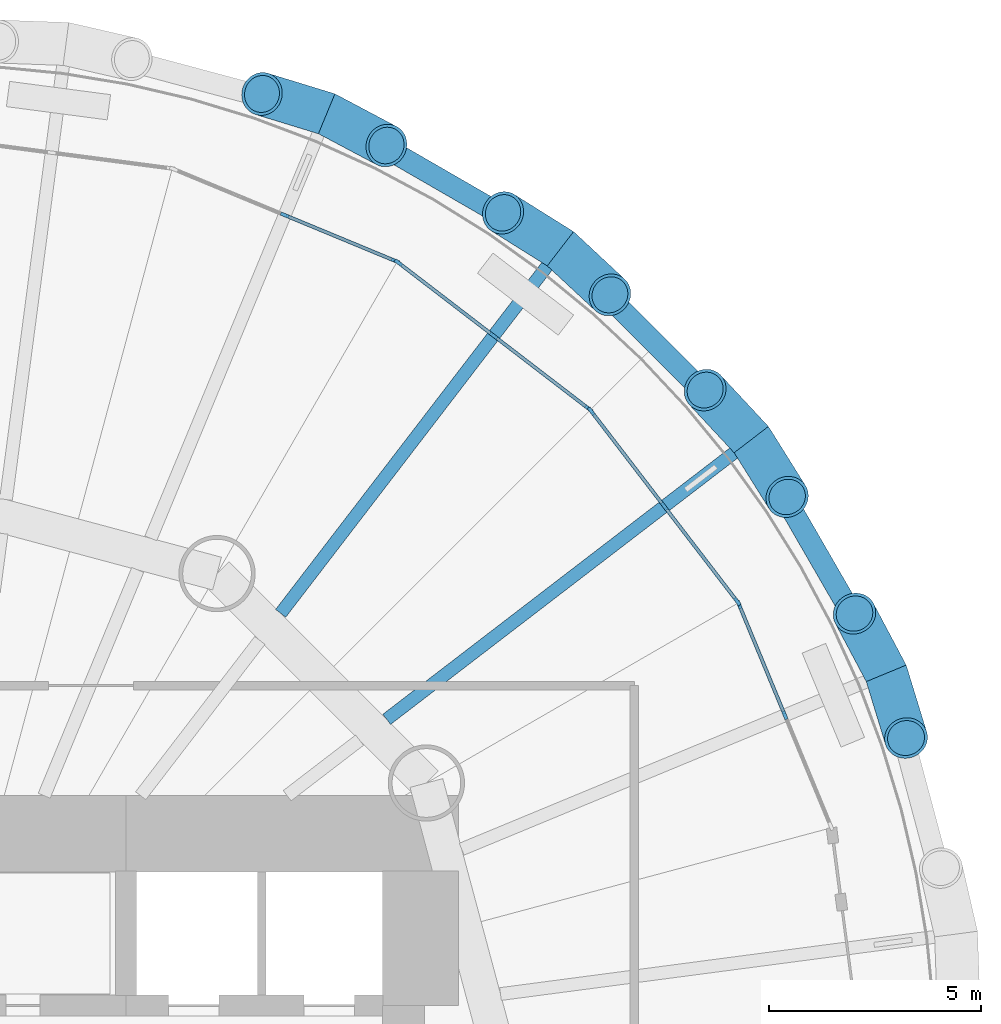
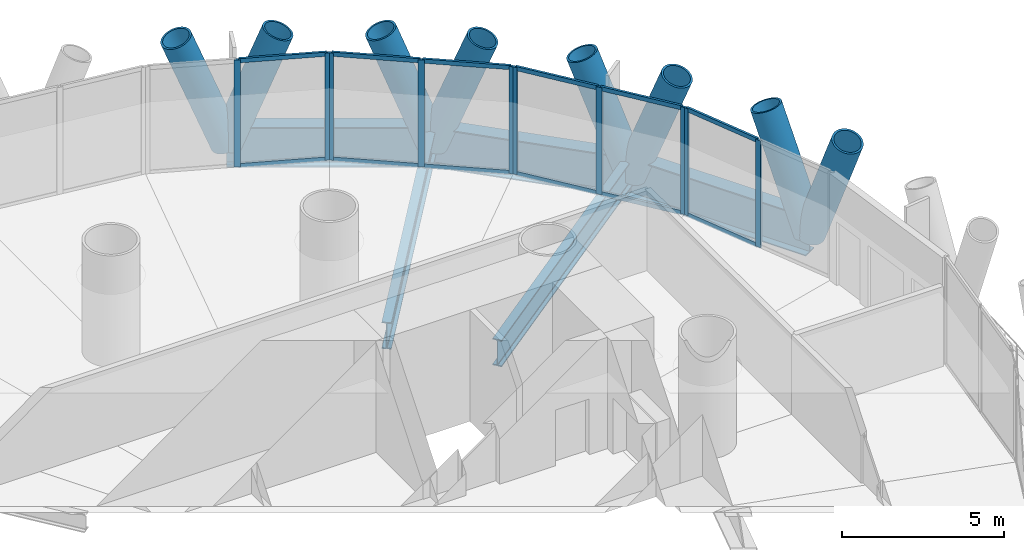
# One storey, part 6 of 14: 30 members, 5 beams, 4 elements without a shape of their own.
"""IFC4 building model written with IfcOpenShell, lengths in metres."""

from ifc_helpers import new_model, si_unit, direction, frame, origin, origin_2d, place, context, subcontext, project, spatial, rectangle, hollow_circle, i_section, extrude, material, material_profile, profile_set, type_object, element, aggregate, save


model = new_model("IFC4")

# Units and contexts
model_context = context("Model", 3, precision=1e-05, world=origin(), true_north=direction((0.0, 1.0)))
body_context = subcontext(model_context, "Body", "Model", "MODEL_VIEW")
ifc_project = project(units=[si_unit("LENGTHUNIT", "METRE"), si_unit("AREAUNIT", "SQUARE_METRE"), si_unit("VOLUMEUNIT", "CUBIC_METRE"), si_unit("PLANEANGLEUNIT", "RADIAN"), si_unit("MASSUNIT", "GRAM", prefix="KILO")], contexts=[model_context])

# Site, building, storey
site_placement = place(None, origin())
site = spatial("IfcSite", under=ifc_project, at=site_placement, CompositionType="ELEMENT")
building_placement = place(site_placement, origin())
building = spatial("IfcBuilding", under=site, at=building_placement, Name="Qaws Media Tower", CompositionType="ELEMENT")
storey_placement = place(building_placement, frame((0.0, 0.0, 185.60009765625)))
storey = spatial("IfcBuildingStorey", under=building, at=storey_placement, Name="L42", CompositionType="ELEMENT", Elevation=185.60009765625)

# Curtain wall, members
ifc_material_1 = material(Name="Aluminium and clear glass", Category="aluminium")
curtain_wall_type = type_object("IfcCurtainWallType", Name="Unitised curtain wall CW-B", PredefinedType="NOTDEFINED", material=ifc_material_1)
curtain_wall_1_placement = place(storey_placement, origin())
curtain_wall_1 = element("IfcCurtainWall", 1, at=curtain_wall_1_placement, inside=storey, type_object=curtain_wall_type, Name="CWB curtain wall L42-02", PredefinedType="NOTDEFINED")
ifc_material_2 = material(Name="Aluminium mullion", Category="aluminium")
ifc_material_profile_1 = material_profile(ifc_material_2, rectangle(XDim=0.080078125, YDim=0.199951171875, at=origin_2d()), Name="80x200")
ifc_profile_set_1 = profile_set([ifc_material_profile_1], Name="Aluminium mullion")
member_type_1 = type_object("IfcMemberType", Name="Curtain wall mullion 80x200", PredefinedType="MULLION", material=ifc_profile_set_1)
member_1_placement = place(storey_placement, frame((80.1513671875, 58.346923828125, 0.0), z_axis=(0.0, 0.0, 1.0), x_axis=(-0.923879550478, -0.38268338899, 0.0)))
member_1 = element("IfcMember", 2, at=member_1_placement, type_object=member_type_1, Name="CWB mullion 2", PredefinedType="MULLION", context=body_context, shape_type="SweptSolid", body=[
    extrude(rectangle(XDim=0.080078125, YDim=0.199951171875, at=origin_2d()), origin(), (0.0, 0.0, 1.0), 4.039794921875),
])
member_2_placement = place(storey_placement, frame((79.06787109375, 60.963134765625, 0.0), z_axis=(0.0, 0.0, 1.0), x_axis=(-0.923879550478, -0.38268338899, 0.0)))
member_2 = element("IfcMember", 3, at=member_2_placement, type_object=member_type_1, Name="CWB mullion 3", PredefinedType="MULLION", context=body_context, shape_type="SweptSolid", body=[
    extrude(rectangle(XDim=0.080078125, YDim=0.199951171875, at=origin_2d()), origin(), (0.0, 0.0, 1.0), 4.039794921875),
])

curtain_wall_2_placement = place(storey_placement, origin())
curtain_wall_2 = element("IfcCurtainWall", 4, at=curtain_wall_2_placement, inside=storey, type_object=curtain_wall_type, Name="CWB curtain wall L42-03", PredefinedType="NOTDEFINED")
member_3_placement = place(storey_placement, frame((79.0283203125, 61.03173828125, 0.0), z_axis=(0.0, 0.0, 1.0), x_axis=(-0.793353302817, -0.608761477846, 0.0)))
member_3 = element("IfcMember", 5, at=member_3_placement, type_object=member_type_1, Name="CWB mullion 1", PredefinedType="MULLION", context=body_context, shape_type="SweptSolid", body=[
    extrude(rectangle(XDim=0.080078125, YDim=0.199951171875, at=origin_2d()), origin(), (0.0, 0.0, 1.0), 4.039794921875),
])
member_4_placement = place(storey_placement, frame((77.304443359375, 63.278076171875, 0.0), z_axis=(0.0, 0.0, 1.0), x_axis=(-0.793353302817, -0.608761477846, 0.0)))
member_4 = element("IfcMember", 6, at=member_4_placement, type_object=member_type_1, Name="CWB mullion 2", PredefinedType="MULLION", context=body_context, shape_type="SweptSolid", body=[
    extrude(rectangle(XDim=0.080078125, YDim=0.199951171875, at=origin_2d()), origin(), (0.0, 0.0, 1.0), 4.039794921875),
])
member_5_placement = place(storey_placement, frame((75.580810546875, 65.524658203125, 0.0), z_axis=(0.0, 0.0, 1.0), x_axis=(-0.793353302817, -0.608761477846, 0.0)))
member_5 = element("IfcMember", 7, at=member_5_placement, type_object=member_type_1, Name="CWB mullion 3", PredefinedType="MULLION", context=body_context, shape_type="SweptSolid", body=[
    extrude(rectangle(XDim=0.080078125, YDim=0.199951171875, at=origin_2d()), origin(), (0.0, 0.0, 1.0), 4.039794921875),
])

curtain_wall_3_placement = place(storey_placement, origin())
curtain_wall_3 = element("IfcCurtainWall", 8, at=curtain_wall_3_placement, inside=storey, type_object=curtain_wall_type, Name="CWB curtain wall L42-04", PredefinedType="NOTDEFINED")
member_6_placement = place(storey_placement, frame((75.524658203125, 65.580810546875, 0.0), z_axis=(0.0, 0.0, 1.0), x_axis=(-0.608761477846, -0.793353302817, 0.0)))
member_6 = element("IfcMember", 9, at=member_6_placement, type_object=member_type_1, Name="CWB mullion 1", PredefinedType="MULLION", context=body_context, shape_type="SweptSolid", body=[
    extrude(rectangle(XDim=0.080078125, YDim=0.199951171875, at=origin_2d()), origin(), (0.0, 0.0, 1.0), 4.039794921875),
])
member_7_placement = place(storey_placement, frame((73.278076171875, 67.304443359375, 0.0), z_axis=(0.0, 0.0, 1.0), x_axis=(-0.608761477846, -0.793353302817, 0.0)))
member_7 = element("IfcMember", 10, at=member_7_placement, type_object=member_type_1, Name="CWB mullion 2", PredefinedType="MULLION", context=body_context, shape_type="SweptSolid", body=[
    extrude(rectangle(XDim=0.080078125, YDim=0.199951171875, at=origin_2d()), origin(), (0.0, 0.0, 1.0), 4.039794921875),
])
member_8_placement = place(storey_placement, frame((71.03173828125, 69.0283203125, 0.0), z_axis=(0.0, 0.0, 1.0), x_axis=(-0.608761477846, -0.793353302817, 0.0)))
member_8 = element("IfcMember", 11, at=member_8_placement, type_object=member_type_1, Name="CWB mullion 3", PredefinedType="MULLION", context=body_context, shape_type="SweptSolid", body=[
    extrude(rectangle(XDim=0.080078125, YDim=0.199951171875, at=origin_2d()), origin(), (0.0, 0.0, 1.0), 4.039794921875),
])

curtain_wall_4_placement = place(storey_placement, origin())
curtain_wall_4 = element("IfcCurtainWall", 12, at=curtain_wall_4_placement, inside=storey, type_object=curtain_wall_type, Name="CWB curtain wall L42-05", PredefinedType="NOTDEFINED")
member_9_placement = place(storey_placement, frame((70.963134765625, 69.06787109375, 0.0), z_axis=(0.0, 0.0, 1.0), x_axis=(-0.38268338899, -0.923879550478, 0.0)))
member_9 = element("IfcMember", 13, at=member_9_placement, type_object=member_type_1, Name="CWB mullion 1", PredefinedType="MULLION", context=body_context, shape_type="SweptSolid", body=[
    extrude(rectangle(XDim=0.080078125, YDim=0.199951171875, at=origin_2d()), origin(), (0.0, 0.0, 1.0), 4.039794921875),
])
member_10_placement = place(storey_placement, frame((68.346923828125, 70.1513671875, 0.0), z_axis=(0.0, 0.0, 1.0), x_axis=(-0.38268338899, -0.923879550478, 0.0)))
member_10 = element("IfcMember", 14, at=member_10_placement, type_object=member_type_1, Name="CWB mullion 2", PredefinedType="MULLION", context=body_context, shape_type="SweptSolid", body=[
    extrude(rectangle(XDim=0.080078125, YDim=0.199951171875, at=origin_2d()), origin(), (0.0, 0.0, 1.0), 4.039794921875),
])

# Member
ifc_material_3 = material(Name="Aluminium transom", Category="aluminium")
ifc_material_profile_2 = material_profile(ifc_material_3, rectangle(XDim=0.080078125, YDim=0.159912109375, at=origin_2d()), Name="80x160")
ifc_profile_set_2 = profile_set([ifc_material_profile_2], Name="Aluminium transom")
member_type_2 = type_object("IfcMemberType", Name="Curtain wall transom 80x160", PredefinedType="USERDEFINED", material=ifc_profile_set_2)
member_11_placement = place(storey_placement, frame((80.13623046875, 58.384033203125, 0.039794921875), z_axis=(-0.38269921506, 0.923872994947, 0.0), x_axis=(-0.923872994947, -0.38269921506, 0.0)))
member_11 = element("IfcMember", 15, at=member_11_placement, type_object=member_type_2, Name="CWB transom 2.1", ObjectType="TRANSOM", PredefinedType="USERDEFINED", context=body_context, shape_type="SweptSolid", body=[
    extrude(rectangle(XDim=0.080078125, YDim=0.159912109375, at=origin_2d()), origin(), (0.0, 0.0, 1.0), 2.75146484375),
])

member_12_placement = place(storey_placement, frame((80.13623046875, 58.384033203125, 4.0), z_axis=(-0.38269921506, 0.923872994947, 0.0), x_axis=(-0.923872994947, -0.38269921506, 0.0)))
member_12 = element("IfcMember", 16, at=member_12_placement, type_object=member_type_2, Name="CWB transom 2.2", ObjectType="TRANSOM", PredefinedType="USERDEFINED", context=body_context, shape_type="SweptSolid", body=[
    extrude(rectangle(XDim=0.080078125, YDim=0.159912109375, at=origin_2d()), origin(), (0.0, 0.0, 1.0), 2.75146484375),
])

aggregate(curtain_wall_1, [member_1, member_2, member_11, member_12])

member_13_placement = place(storey_placement, frame((79.00390625, 61.0634765625, 0.039794921875), z_axis=(-0.60877982514, 0.793339224104, 0.0), x_axis=(-0.793339224104, -0.60877982514, 0.0)))
member_13 = element("IfcMember", 17, at=member_13_placement, type_object=member_type_2, Name="CWB transom 1.1", ObjectType="TRANSOM", PredefinedType="USERDEFINED", context=body_context, shape_type="SweptSolid", body=[
    extrude(rectangle(XDim=0.080078125, YDim=0.159912109375, at=origin_2d()), origin(), (0.0, 0.0, 1.0), 2.75146484375),
])

member_14_placement = place(storey_placement, frame((79.00390625, 61.0634765625, 4.0), z_axis=(-0.60877982514, 0.793339224104, 0.0), x_axis=(-0.793339224104, -0.60877982514, 0.0)))
member_14 = element("IfcMember", 18, at=member_14_placement, type_object=member_type_2, Name="CWB transom 1.2", ObjectType="TRANSOM", PredefinedType="USERDEFINED", context=body_context, shape_type="SweptSolid", body=[
    extrude(rectangle(XDim=0.080078125, YDim=0.159912109375, at=origin_2d()), origin(), (0.0, 0.0, 1.0), 2.75146484375),
])

member_15_placement = place(storey_placement, frame((77.280029296875, 63.309814453125, 0.039794921875), z_axis=(-0.608736973205, 0.793372105291, 0.0), x_axis=(-0.793372105291, -0.608736973205, 0.0)))
member_15 = element("IfcMember", 19, at=member_15_placement, type_object=member_type_2, Name="CWB transom 2.1", ObjectType="TRANSOM", PredefinedType="USERDEFINED", context=body_context, shape_type="SweptSolid", body=[
    extrude(rectangle(XDim=0.080078125, YDim=0.159912109375, at=origin_2d()), origin(), (0.0, 0.0, 1.0), 2.751708984375),
])

member_16_placement = place(storey_placement, frame((77.280029296875, 63.309814453125, 4.0), z_axis=(-0.608736973205, 0.793372105291, 0.0), x_axis=(-0.793372105291, -0.608736973205, 0.0)))
member_16 = element("IfcMember", 20, at=member_16_placement, type_object=member_type_2, Name="CWB transom 2.2", ObjectType="TRANSOM", PredefinedType="USERDEFINED", context=body_context, shape_type="SweptSolid", body=[
    extrude(rectangle(XDim=0.080078125, YDim=0.159912109375, at=origin_2d()), origin(), (0.0, 0.0, 1.0), 2.751708984375),
])

aggregate(curtain_wall_2, [member_3, member_4, member_5, member_13, member_14, member_15, member_16])

member_17_placement = place(storey_placement, frame((75.492919921875, 65.60498046875, 0.039794921875), z_axis=(-0.793372105291, 0.608736973205, 0.0), x_axis=(-0.608736973205, -0.793372105291, 0.0)))
member_17 = element("IfcMember", 21, at=member_17_placement, type_object=member_type_2, Name="CWB transom 1.1", ObjectType="TRANSOM", PredefinedType="USERDEFINED", context=body_context, shape_type="SweptSolid", body=[
    extrude(rectangle(XDim=0.080078125, YDim=0.159912109375, at=origin_2d()), origin(), (0.0, 0.0, 1.0), 2.751708984375),
])

member_18_placement = place(storey_placement, frame((75.492919921875, 65.60498046875, 4.0), z_axis=(-0.793372105291, 0.608736973205, 0.0), x_axis=(-0.608736973205, -0.793372105291, 0.0)))
member_18 = element("IfcMember", 22, at=member_18_placement, type_object=member_type_2, Name="CWB transom 1.2", ObjectType="TRANSOM", PredefinedType="USERDEFINED", context=body_context, shape_type="SweptSolid", body=[
    extrude(rectangle(XDim=0.080078125, YDim=0.159912109375, at=origin_2d()), origin(), (0.0, 0.0, 1.0), 2.751708984375),
])

member_19_placement = place(storey_placement, frame((73.246337890625, 67.328857421875, 0.039794921875), z_axis=(-0.793339224104, 0.60877982514, 0.0), x_axis=(-0.60877982514, -0.793339224104, 0.0)))
member_19 = element("IfcMember", 23, at=member_19_placement, type_object=member_type_2, Name="CWB transom 2.1", ObjectType="TRANSOM", PredefinedType="USERDEFINED", context=body_context, shape_type="SweptSolid", body=[
    extrude(rectangle(XDim=0.080078125, YDim=0.159912109375, at=origin_2d()), origin(), (0.0, 0.0, 1.0), 2.75146484375),
])

member_20_placement = place(storey_placement, frame((73.246337890625, 67.328857421875, 4.0), z_axis=(-0.793339224104, 0.60877982514, 0.0), x_axis=(-0.60877982514, -0.793339224104, 0.0)))
member_20 = element("IfcMember", 24, at=member_20_placement, type_object=member_type_2, Name="CWB transom 2.2", ObjectType="TRANSOM", PredefinedType="USERDEFINED", context=body_context, shape_type="SweptSolid", body=[
    extrude(rectangle(XDim=0.080078125, YDim=0.159912109375, at=origin_2d()), origin(), (0.0, 0.0, 1.0), 2.75146484375),
])

aggregate(curtain_wall_3, [member_6, member_7, member_8, member_17, member_18, member_19, member_20])

member_21_placement = place(storey_placement, frame((70.926025390625, 69.083251953125, 0.039794921875), z_axis=(-0.923872994947, 0.38269921506, 0.0), x_axis=(-0.38269921506, -0.923872994947, 0.0)))
member_21 = element("IfcMember", 25, at=member_21_placement, type_object=member_type_2, Name="CWB transom 1.1", ObjectType="TRANSOM", PredefinedType="USERDEFINED", context=body_context, shape_type="SweptSolid", body=[
    extrude(rectangle(XDim=0.080078125, YDim=0.159912109375, at=origin_2d()), origin(), (0.0, 0.0, 1.0), 2.75146484375),
])

member_22_placement = place(storey_placement, frame((70.926025390625, 69.083251953125, 4.0), z_axis=(-0.923872994947, 0.38269921506, 0.0), x_axis=(-0.38269921506, -0.923872994947, 0.0)))
member_22 = element("IfcMember", 26, at=member_22_placement, type_object=member_type_2, Name="CWB transom 1.2", ObjectType="TRANSOM", PredefinedType="USERDEFINED", context=body_context, shape_type="SweptSolid", body=[
    extrude(rectangle(XDim=0.080078125, YDim=0.159912109375, at=origin_2d()), origin(), (0.0, 0.0, 1.0), 2.75146484375),
])

aggregate(curtain_wall_4, [member_9, member_10, member_21, member_22])

# Members
ifc_material_4 = material(Name="Steel S460", Category="steel")
ifc_material_profile_3 = material_profile(ifc_material_4, hollow_circle(Radius=0.508056640625, WallThickness=0.070068359375, at=origin_2d()), Name="CHS 1016x70")
ifc_profile_set_3 = profile_set([ifc_material_profile_3], Name="Steel S460")
member_type_3 = type_object("IfcMemberType", Name="Diagrid member CHS 1016x70", PredefinedType="USERDEFINED", material=ifc_profile_set_3)
for number, where, z_axis, x_axis, name in (
    (27, (82.542724609375, 59.33740234375, -0.91015625), (-0.166647408774, 0.313842658324, 0.934736019936), (-0.883210731747, -0.468976335573, 0.0), "DG3 diagrid L42 A02"),
    (28, (82.542724609375, 59.33740234375, -0.91015625), (0.104108639779, -0.339711490552, 0.934749963525), (0.956109060832, 0.293011030159, 0.0), "DG3 diagrid L42 B02"),
    (29, (79.35791015625, 64.853759765625, -0.91015625), (-0.242173240947, 0.260049614354, 0.934733287865), (-0.731812451309, -0.68150607929, 0.0), "DG3 diagrid L42 A03"),
    (30, (79.35791015625, 64.853759765625, -0.91015625), (0.188489993373, -0.301236241932, 0.934734319978), (0.847723298721, 0.530438694672, 0.0), "DG3 diagrid L42 B03"),
    (31, (74.853759765625, 69.35791015625, -0.91015625), (-0.301236241932, 0.188489993373, 0.934734319978), (-0.530438694672, -0.847723298721, 0.0), "DG3 diagrid L42 A04"),
    (32, (74.853759765625, 69.35791015625, -0.91015625), (0.260049614354, -0.242173240947, 0.934733287865), (0.68150607929, 0.731812451309, 0.0), "DG3 diagrid L42 B04"),
    (33, (69.33740234375, 72.542724609375, -0.91015625), (-0.339711490552, 0.104108639779, 0.934749963525), (-0.293011030159, -0.956109060832, 0.0), "DG3 diagrid L42 A05"),
    (34, (69.33740234375, 72.542724609375, -0.91015625), (0.313842658324, -0.166647408774, 0.934736019936), (0.468976335573, 0.883210731747, 0.0), "DG3 diagrid L42 B05"),
):
    element("IfcMember", number, at=place(storey_placement, frame(where, z_axis=z_axis, x_axis=x_axis)), inside=storey, type_object=member_type_3, Name=name, ObjectType="DIAGRID", PredefinedType="USERDEFINED", context=body_context, shape_type="SweptSolid", body=[
        extrude(hollow_circle(Radius=0.508056640625, WallThickness=0.070068359375, at=origin_2d()), origin(), (0.0, 0.0, 1.0), 4.4931640625),
    ])

# Beams
ifc_material_5 = material(Name="Steel S460", Category="steel")
ifc_material_profile_4 = material_profile(ifc_material_5, i_section(OverallWidth=0.5, OverallDepth=1.5, WebThickness=0.02001953125, FlangeThickness=0.0400390625, at=origin_2d()), Name="PG 1500x500")
ifc_profile_set_4 = profile_set([ifc_material_profile_4], Name="Steel S460")
beam_type_1 = type_object("IfcBeamType", Name="Edge ring beam PG 1500x500", PredefinedType="BEAM", material=ifc_profile_set_4)
beam_1_placement = place(storey_placement, frame((82.542724609375, 59.33740234375, -0.91015625), z_axis=(-0.499993407537, 0.866029209911, 0.0), x_axis=(-0.866029209911, -0.499993407537, 0.0)))
element("IfcBeam", 35, at=beam_1_placement, inside=storey, type_object=beam_type_1, Name="RB4 edge ring beam L42-02", PredefinedType="BEAM", context=body_context, shape_type="SweptSolid", body=[
    extrude(i_section(OverallWidth=0.5, OverallDepth=1.5, WebThickness=0.02001953125, FlangeThickness=0.0400390625, at=origin_2d()), origin(), (0.0, 0.0, 1.0), 6.36962890625),
])
beam_2_placement = place(storey_placement, frame((79.35791015625, 64.853759765625, -0.91015625), z_axis=(-0.707106781187, 0.707106781187, 0.0), x_axis=(-0.707106781187, -0.707106781187, 0.0)))
element("IfcBeam", 36, at=beam_2_placement, inside=storey, type_object=beam_type_1, Name="RB4 edge ring beam L42-03", PredefinedType="BEAM", context=body_context, shape_type="SweptSolid", body=[
    extrude(i_section(OverallWidth=0.5, OverallDepth=1.5, WebThickness=0.02001953125, FlangeThickness=0.0400390625, at=origin_2d()), origin(), (0.0, 0.0, 1.0), 6.369873046875),
])
beam_3_placement = place(storey_placement, frame((74.853759765625, 69.35791015625, -0.91015625), z_axis=(-0.866029209911, 0.499993407537, 0.0), x_axis=(-0.499993407537, -0.866029209911, 0.0)))
element("IfcBeam", 37, at=beam_3_placement, inside=storey, type_object=beam_type_1, Name="RB4 edge ring beam L42-04", PredefinedType="BEAM", context=body_context, shape_type="SweptSolid", body=[
    extrude(i_section(OverallWidth=0.5, OverallDepth=1.5, WebThickness=0.02001953125, FlangeThickness=0.0400390625, at=origin_2d()), origin(), (0.0, 0.0, 1.0), 6.36962890625),
])
ifc_material_6 = material(Name="Steel S355", Category="steel")
ifc_material_profile_5 = material_profile(ifc_material_6, i_section(OverallWidth=0.302001953125, OverallDepth=1.008056640625, WebThickness=0.02099609375, FlangeThickness=0.0400390625, FilletRadius=0.030029296875, at=origin_2d()), Name="HE 1000 M")
ifc_profile_set_5 = profile_set([ifc_material_profile_5], Name="Steel S355")
beam_type_2 = type_object("IfcBeamType", Name="Radial beam HE 1000 M", PredefinedType="BEAM", material=ifc_profile_set_5)
for number, where, z_axis, x_axis, name in (
    (38, (70.754638671875, 58.25244140625, -0.6640625), (0.793362427349, 0.608749586342, 0.0), (-0.608749586342, 0.793362427349, 0.0), "B1 radial beam L42 03"),
    (39, (68.25244140625, 60.754638671875, -0.6640625), (0.608749586342, 0.793362427349, 0.0), (-0.793362427349, 0.608749586342, 0.0), "B1 radial beam L42 04"),
):
    element("IfcBeam", number, at=place(storey_placement, frame(where, z_axis=z_axis, x_axis=x_axis)), inside=storey, type_object=beam_type_2, Name=name, PredefinedType="BEAM", context=body_context, shape_type="SweptSolid", body=[
        extrude(i_section(OverallWidth=0.302001953125, OverallDepth=1.008056640625, WebThickness=0.02099609375, FlangeThickness=0.0400390625, FilletRadius=0.030029296875, at=origin_2d()), origin(), (0.0, 0.0, 1.0), 10.843994140625),
    ])

save(model, "model.ifc")
